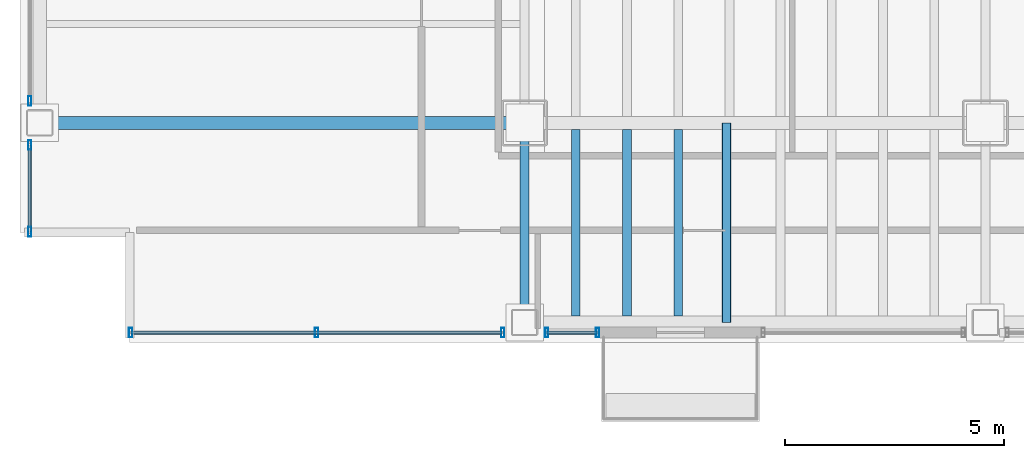
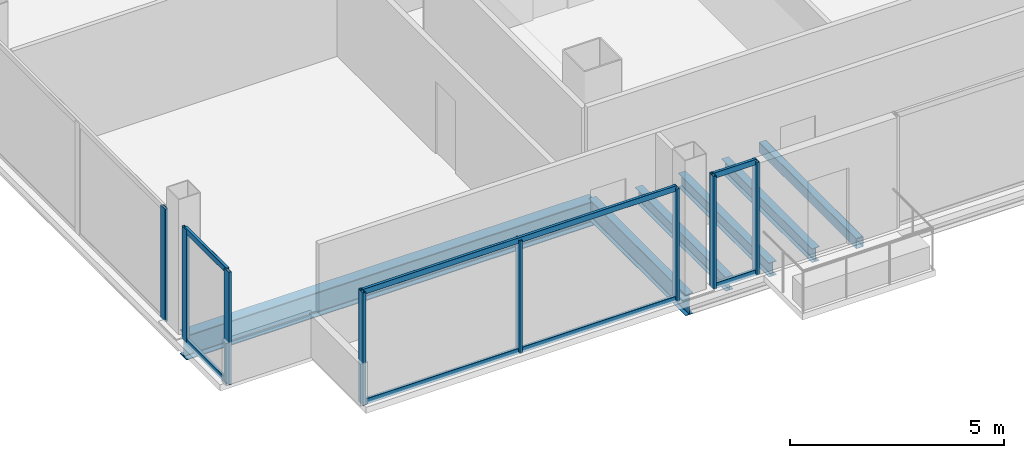
# One storey, part 2 of 21: 14 members, 6 beams, 4 elements without a shape of their own.
"""IFC4 building model written with IfcOpenShell, lengths in metres."""

from ifc_helpers import new_model, si_unit, direction, frame, origin, origin_2d, place, context, subcontext, project, spatial, hollow_rectangle, i_section, extrude, material, material_profile, profile_set, type_object, element, aggregate, save


model = new_model("IFC4")

# Units and contexts
model_context = context("Model", 3, precision=1e-05, world=origin(), true_north=direction((0.0, 1.0)))
body_context = subcontext(model_context, "Body", "Model", "MODEL_VIEW")
ifc_project = project(units=[si_unit("LENGTHUNIT", "METRE"), si_unit("AREAUNIT", "SQUARE_METRE"), si_unit("VOLUMEUNIT", "CUBIC_METRE"), si_unit("PLANEANGLEUNIT", "RADIAN"), si_unit("MASSUNIT", "GRAM", prefix="KILO")], contexts=[model_context])

# Site, building, storey
site_placement = place(None, origin())
site = spatial("IfcSite", under=ifc_project, at=site_placement, CompositionType="ELEMENT")
building_placement = place(site_placement, origin())
building = spatial("IfcBuilding", under=site, at=building_placement, Name="Noeulbin Bourse Tower", CompositionType="ELEMENT")
storey_placement = place(building_placement, frame((0.0, 0.0, 34.300048828125)))
storey = spatial("IfcBuildingStorey", under=building, at=storey_placement, Name="L08", CompositionType="ELEMENT", Elevation=34.300048828125)

# Beams
ifc_material_1 = material(Name="Steel S355", Category="steel")
ifc_material_profile_1 = material_profile(ifc_material_1, hollow_rectangle(XDim=0.199951171875, YDim=0.300048828125, WallThickness=0.011962890625, InnerFilletRadius=0.011962890625, OuterFilletRadius=0.02392578125, at=origin_2d()), Name="RHS-300x200x12", Category="LoadBearing")
ifc_profile_set_1 = profile_set([ifc_material_profile_1], Name="Steel S355")
beam_type_1 = type_object("IfcBeamType", Name="BM-BAL-300", PredefinedType="BEAM", material=ifc_profile_set_1)
beam_1_placement = place(storey_placement, frame((18.10009765625, 15.449951171875, -0.330078125), z_axis=(0.0, 1.0, 0.0), x_axis=(-1.0, 0.0, 0.0)))
element("IfcBeam", 1, at=beam_1_placement, inside=storey, type_object=beam_type_1, Name="Balcony Back-Span Tie Beam L08", PredefinedType="BEAM", context=body_context, shape_type="SweptSolid", body=[
    extrude(hollow_rectangle(XDim=0.199951171875, YDim=0.300048828125, WallThickness=0.011962890625, InnerFilletRadius=0.011962890625, OuterFilletRadius=0.02392578125, at=origin_2d()), origin(), (0.0, 0.0, 1.0), 4.550048828125),
])
ifc_material_profile_2 = material_profile(ifc_material_1, i_section(OverallWidth=0.199951171875, OverallDepth=0.60009765625, WebThickness=0.010986328125, FlangeThickness=0.01708984375, FilletRadius=0.02197265625, at=origin_2d()), Name="H-600x200x11x17", Category="LoadBearing")
ifc_profile_set_2 = profile_set([ifc_material_profile_2], Name="Steel S355")
beam_type_2 = type_object("IfcBeamType", Name="BM-GRD-600", PredefinedType="USERDEFINED", material=ifc_profile_set_2)
beam_2_placement = place(storey_placement, frame((13.5, 15.449951171875, -0.47998046875), z_axis=(0.0, 1.0, 0.0), x_axis=(-1.0, 0.0, 0.0)))
element("IfcBeam", 2, at=beam_2_placement, inside=storey, type_object=beam_type_2, Name="Tower Primary Girder NS L08-1.1", ObjectType="GIRDER", PredefinedType="USERDEFINED", context=body_context, shape_type="SweptSolid", body=[
    extrude(i_section(OverallWidth=0.199951171875, OverallDepth=0.60009765625, WebThickness=0.010986328125, FlangeThickness=0.01708984375, FilletRadius=0.02197265625, at=origin_2d()), origin(), (0.0, 0.0, 1.0), 4.550048828125),
])
ifc_material_profile_3 = material_profile(ifc_material_1, i_section(OverallWidth=0.300048828125, OverallDepth=0.699951171875, WebThickness=0.012939453125, FlangeThickness=0.02392578125, FilletRadius=0.02392578125, at=origin_2d()), Name="H-700x300x13x24", Category="LoadBearing")
ifc_profile_set_3 = profile_set([ifc_material_profile_3], Name="Steel S355")
beam_type_3 = type_object("IfcBeamType", Name="BM-GRD-700", PredefinedType="USERDEFINED", material=ifc_profile_set_3)
beam_3_placement = place(storey_placement, frame((2.449951171875, 20.0, -0.530029296875), z_axis=(1.0, 0.0, 0.0), x_axis=(0.0, 1.0, 0.0)))
element("IfcBeam", 3, at=beam_3_placement, inside=storey, type_object=beam_type_3, Name="Tower Primary Girder EW L08-1.1", ObjectType="GIRDER", PredefinedType="USERDEFINED", context=body_context, shape_type="SweptSolid", body=[
    extrude(i_section(OverallWidth=0.300048828125, OverallDepth=0.699951171875, WebThickness=0.012939453125, FlangeThickness=0.02392578125, FilletRadius=0.02392578125, at=origin_2d()), origin(), (0.0, 0.0, 1.0), 11.050048828125),
])
ifc_material_profile_4 = material_profile(ifc_material_1, i_section(OverallWidth=0.199951171875, OverallDepth=0.39990234375, WebThickness=0.008056640625, FlangeThickness=0.012939453125, FilletRadius=0.01611328125, at=origin_2d()), Name="H-400x200x8x13", Category="LoadBearing")
ifc_profile_set_4 = profile_set([ifc_material_profile_4], Name="Steel S355")
beam_type_4 = type_object("IfcBeamType", Name="BM-SEC-400", PredefinedType="BEAM", material=ifc_profile_set_4)
for number, where, z_axis, x_axis, name in (
    (4, (14.666748046875, 15.60009765625, -0.380126953125), (0.0, 1.0, 0.0), (-1.0, 0.0, 0.0), "Tower Composite Joist L08-01"),
    (5, (15.833251953125, 15.60009765625, -0.380126953125), (0.0, 1.0, 0.0), (-1.0, 0.0, 0.0), "Tower Composite Joist L08-04"),
    (6, (17.0, 15.60009765625, -0.380126953125), (0.0, 1.0, 0.0), (-1.0, 0.0, 0.0), "Tower Composite Joist L08-07"),
):
    element("IfcBeam", number, at=place(storey_placement, frame(where, z_axis=z_axis, x_axis=x_axis)), inside=storey, type_object=beam_type_4, Name=name, PredefinedType="BEAM", context=body_context, shape_type="SweptSolid", body=[
        extrude(i_section(OverallWidth=0.199951171875, OverallDepth=0.39990234375, WebThickness=0.008056640625, FlangeThickness=0.012939453125, FilletRadius=0.01611328125, at=origin_2d()), origin(), (0.0, 0.0, 1.0), 4.25),
    ])

# Curtain wall, members
ifc_material_2 = material(Name="Dark Solar-Control Double Glazing", Category="glass")
curtain_wall_type = type_object("IfcCurtainWallType", Name="CW-SYS-2", PredefinedType="NOTDEFINED", material=ifc_material_2)
curtain_wall_1_placement = place(storey_placement, origin())
curtain_wall_1 = element("IfcCurtainWall", 7, at=curtain_wall_1_placement, inside=storey, type_object=curtain_wall_type, Name="Unitised Curtain Wall CW-L08-S1-S1", PredefinedType="NOTDEFINED")
ifc_material_3 = material(Name="Anodised Aluminium 6063-T6", Category="aluminium")
ifc_material_profile_5 = material_profile(ifc_material_3, hollow_rectangle(XDim=0.074951171875, YDim=0.219970703125, WallThickness=0.0048828125, InnerFilletRadius=0.00244140625, OuterFilletRadius=0.0048828125, at=origin_2d()), Name="ALU-MULL-75x220x5", Category="LoadBearing")
ifc_profile_set_5 = profile_set([ifc_material_profile_5], Name="Anodised Aluminium 6063-T6")
member_type_1 = type_object("IfcMemberType", Name="CW-SYS-2-MUL", PredefinedType="MULLION", material=ifc_profile_set_5)
member_1_placement = place(storey_placement, frame((4.52001953125, 15.219970703125, -0.02001953125), z_axis=(0.0, 0.0, 1.0), x_axis=(1.0, 0.0, 0.0)))
member_1 = element("IfcMember", 8, at=member_1_placement, type_object=member_type_1, Name="Curtain Wall Mullion CW-L08-S1-S1-M00", PredefinedType="MULLION", context=body_context, shape_type="SweptSolid", body=[
    extrude(hollow_rectangle(XDim=0.074951171875, YDim=0.219970703125, WallThickness=0.0048828125, InnerFilletRadius=0.00244140625, OuterFilletRadius=0.0048828125, at=origin_2d()), origin(), (0.0, 0.0, 1.0), 3.219970703125),
])
member_2_placement = place(storey_placement, frame((8.760009765625, 15.219970703125, -0.02001953125), z_axis=(0.0, 0.0, 1.0), x_axis=(1.0, 0.0, 0.0)))
member_2 = element("IfcMember", 9, at=member_2_placement, type_object=member_type_1, Name="Curtain Wall Mullion CW-L08-S1-S1-M01", PredefinedType="MULLION", context=body_context, shape_type="SweptSolid", body=[
    extrude(hollow_rectangle(XDim=0.074951171875, YDim=0.219970703125, WallThickness=0.0048828125, InnerFilletRadius=0.00244140625, OuterFilletRadius=0.0048828125, at=origin_2d()), origin(), (0.0, 0.0, 1.0), 3.219970703125),
])
member_3_placement = place(storey_placement, frame((13.0, 15.219970703125, -0.02001953125), z_axis=(0.0, 0.0, 1.0), x_axis=(1.0, 0.0, 0.0)))
member_3 = element("IfcMember", 10, at=member_3_placement, type_object=member_type_1, Name="Curtain Wall Mullion CW-L08-S1-S1-M02", PredefinedType="MULLION", context=body_context, shape_type="SweptSolid", body=[
    extrude(hollow_rectangle(XDim=0.074951171875, YDim=0.219970703125, WallThickness=0.0048828125, InnerFilletRadius=0.00244140625, OuterFilletRadius=0.0048828125, at=origin_2d()), origin(), (0.0, 0.0, 1.0), 3.219970703125),
])

curtain_wall_2_placement = place(storey_placement, origin())
curtain_wall_2 = element("IfcCurtainWall", 11, at=curtain_wall_2_placement, inside=storey, type_object=curtain_wall_type, Name="Unitised Curtain Wall CW-L08-S1-S2", PredefinedType="NOTDEFINED")
member_4_placement = place(storey_placement, frame((14.0, 15.219970703125, -0.02001953125), z_axis=(0.0, 0.0, 1.0), x_axis=(1.0, 0.0, 0.0)))
member_4 = element("IfcMember", 12, at=member_4_placement, type_object=member_type_1, Name="Curtain Wall Mullion CW-L08-S1-S2-M00", PredefinedType="MULLION", context=body_context, shape_type="SweptSolid", body=[
    extrude(hollow_rectangle(XDim=0.074951171875, YDim=0.219970703125, WallThickness=0.0048828125, InnerFilletRadius=0.00244140625, OuterFilletRadius=0.0048828125, at=origin_2d()), origin(), (0.0, 0.0, 1.0), 3.219970703125),
])
member_5_placement = place(storey_placement, frame((15.159912109375, 15.219970703125, -0.02001953125), z_axis=(0.0, 0.0, 1.0), x_axis=(1.0, 0.0, 0.0)))
member_5 = element("IfcMember", 13, at=member_5_placement, type_object=member_type_1, Name="Curtain Wall Mullion CW-L08-S1-S2-M01", PredefinedType="MULLION", context=body_context, shape_type="SweptSolid", body=[
    extrude(hollow_rectangle(XDim=0.074951171875, YDim=0.219970703125, WallThickness=0.0048828125, InnerFilletRadius=0.00244140625, OuterFilletRadius=0.0048828125, at=origin_2d()), origin(), (0.0, 0.0, 1.0), 3.219970703125),
])

curtain_wall_3_placement = place(storey_placement, origin())
curtain_wall_3 = element("IfcCurtainWall", 14, at=curtain_wall_3_placement, inside=storey, type_object=curtain_wall_type, Name="Unitised Curtain Wall CW-L08-W-S1", PredefinedType="NOTDEFINED")
member_6_placement = place(storey_placement, frame((2.219970703125, 17.52001953125, -0.02001953125), z_axis=(0.0, 0.0, 1.0), x_axis=(1.0, 0.0, 0.0)))
member_6 = element("IfcMember", 15, at=member_6_placement, type_object=member_type_1, Name="Curtain Wall Mullion CW-L08-W-S1-M00", PredefinedType="MULLION", context=body_context, shape_type="SweptSolid", body=[
    extrude(hollow_rectangle(XDim=0.074951171875, YDim=0.219970703125, WallThickness=0.0048828125, InnerFilletRadius=0.00244140625, OuterFilletRadius=0.0048828125, at=origin_2d()), origin(), (0.0, 0.0, 1.0), 3.219970703125),
])
member_7_placement = place(storey_placement, frame((2.219970703125, 19.5, -0.02001953125), z_axis=(0.0, 0.0, 1.0), x_axis=(1.0, 0.0, 0.0)))
member_7 = element("IfcMember", 16, at=member_7_placement, type_object=member_type_1, Name="Curtain Wall Mullion CW-L08-W-S1-M01", PredefinedType="MULLION", context=body_context, shape_type="SweptSolid", body=[
    extrude(hollow_rectangle(XDim=0.074951171875, YDim=0.219970703125, WallThickness=0.0048828125, InnerFilletRadius=0.00244140625, OuterFilletRadius=0.0048828125, at=origin_2d()), origin(), (0.0, 0.0, 1.0), 3.219970703125),
])

# Curtain wall, member
curtain_wall_4_placement = place(storey_placement, origin())
curtain_wall_4 = element("IfcCurtainWall", 17, at=curtain_wall_4_placement, inside=storey, type_object=curtain_wall_type, Name="Unitised Curtain Wall CW-L08-W-S2", PredefinedType="NOTDEFINED")
member_8_placement = place(storey_placement, frame((2.219970703125, 20.5, -0.02001953125), z_axis=(0.0, 0.0, 1.0), x_axis=(1.0, 0.0, 0.0)))
member_8 = element("IfcMember", 18, at=member_8_placement, type_object=member_type_1, Name="Curtain Wall Mullion CW-L08-W-S2-M00", PredefinedType="MULLION", context=body_context, shape_type="SweptSolid", body=[
    extrude(hollow_rectangle(XDim=0.074951171875, YDim=0.219970703125, WallThickness=0.0048828125, InnerFilletRadius=0.00244140625, OuterFilletRadius=0.0048828125, at=origin_2d()), origin(), (0.0, 0.0, 1.0), 3.219970703125),
])
aggregate(curtain_wall_4, [member_8])

# Member
ifc_material_profile_6 = material_profile(ifc_material_3, hollow_rectangle(XDim=0.074951171875, YDim=0.159912109375, WallThickness=0.0048828125, InnerFilletRadius=0.00244140625, OuterFilletRadius=0.0048828125, at=origin_2d()), Name="ALU-TRAN-75x160x5", Category="LoadBearing")
ifc_profile_set_6 = profile_set([ifc_material_profile_6], Name="Anodised Aluminium 6063-T6")
member_type_2 = type_object("IfcMemberType", Name="CW-SYS-2-TRN", PredefinedType="USERDEFINED", material=ifc_profile_set_6)
member_9_placement = place(storey_placement, frame((4.530029296875, 15.219970703125, 0.010009765625), z_axis=(1.0, 0.0, 0.0), x_axis=(0.0, 1.0, 0.0)))
member_9 = element("IfcMember", 19, at=member_9_placement, type_object=member_type_2, Name="Curtain Wall Transom CW-L08-S1-S1-T00", ObjectType="TRANSOM", PredefinedType="USERDEFINED", context=body_context, shape_type="SweptSolid", body=[
    extrude(hollow_rectangle(XDim=0.074951171875, YDim=0.159912109375, WallThickness=0.0048828125, InnerFilletRadius=0.00244140625, OuterFilletRadius=0.0048828125, at=origin_2d()), origin(), (0.0, 0.0, 1.0), 8.4599609375),
])

member_10_placement = place(storey_placement, frame((4.530029296875, 15.219970703125, 3.169921875), z_axis=(1.0, 0.0, 0.0), x_axis=(0.0, 1.0, 0.0)))
member_10 = element("IfcMember", 20, at=member_10_placement, type_object=member_type_2, Name="Curtain Wall Transom CW-L08-S1-S1-T01", ObjectType="TRANSOM", PredefinedType="USERDEFINED", context=body_context, shape_type="SweptSolid", body=[
    extrude(hollow_rectangle(XDim=0.074951171875, YDim=0.159912109375, WallThickness=0.0048828125, InnerFilletRadius=0.00244140625, OuterFilletRadius=0.0048828125, at=origin_2d()), origin(), (0.0, 0.0, 1.0), 8.4599609375),
])

aggregate(curtain_wall_1, [member_1, member_2, member_3, member_9, member_10])

member_11_placement = place(storey_placement, frame((14.010009765625, 15.219970703125, 0.010009765625), z_axis=(1.0, 0.0, 0.0), x_axis=(0.0, 1.0, 0.0)))
member_11 = element("IfcMember", 21, at=member_11_placement, type_object=member_type_2, Name="Curtain Wall Transom CW-L08-S1-S2-T00", ObjectType="TRANSOM", PredefinedType="USERDEFINED", context=body_context, shape_type="SweptSolid", body=[
    extrude(hollow_rectangle(XDim=0.074951171875, YDim=0.159912109375, WallThickness=0.0048828125, InnerFilletRadius=0.00244140625, OuterFilletRadius=0.0048828125, at=origin_2d()), origin(), (0.0, 0.0, 1.0), 1.139892578125),
])

member_12_placement = place(storey_placement, frame((14.010009765625, 15.219970703125, 3.169921875), z_axis=(1.0, 0.0, 0.0), x_axis=(0.0, 1.0, 0.0)))
member_12 = element("IfcMember", 22, at=member_12_placement, type_object=member_type_2, Name="Curtain Wall Transom CW-L08-S1-S2-T01", ObjectType="TRANSOM", PredefinedType="USERDEFINED", context=body_context, shape_type="SweptSolid", body=[
    extrude(hollow_rectangle(XDim=0.074951171875, YDim=0.159912109375, WallThickness=0.0048828125, InnerFilletRadius=0.00244140625, OuterFilletRadius=0.0048828125, at=origin_2d()), origin(), (0.0, 0.0, 1.0), 1.139892578125),
])

aggregate(curtain_wall_2, [member_4, member_5, member_11, member_12])

member_13_placement = place(storey_placement, frame((2.219970703125, 17.530029296875, 0.010009765625), z_axis=(0.0, 1.0, 0.0), x_axis=(-1.0, 0.0, 0.0)))
member_13 = element("IfcMember", 23, at=member_13_placement, type_object=member_type_2, Name="Curtain Wall Transom CW-L08-W-S1-T00", ObjectType="TRANSOM", PredefinedType="USERDEFINED", context=body_context, shape_type="SweptSolid", body=[
    extrude(hollow_rectangle(XDim=0.074951171875, YDim=0.159912109375, WallThickness=0.0048828125, InnerFilletRadius=0.00244140625, OuterFilletRadius=0.0048828125, at=origin_2d()), origin(), (0.0, 0.0, 1.0), 1.9599609375),
])

member_14_placement = place(storey_placement, frame((2.219970703125, 17.530029296875, 3.169921875), z_axis=(0.0, 1.0, 0.0), x_axis=(-1.0, 0.0, 0.0)))
member_14 = element("IfcMember", 24, at=member_14_placement, type_object=member_type_2, Name="Curtain Wall Transom CW-L08-W-S1-T01", ObjectType="TRANSOM", PredefinedType="USERDEFINED", context=body_context, shape_type="SweptSolid", body=[
    extrude(hollow_rectangle(XDim=0.074951171875, YDim=0.159912109375, WallThickness=0.0048828125, InnerFilletRadius=0.00244140625, OuterFilletRadius=0.0048828125, at=origin_2d()), origin(), (0.0, 0.0, 1.0), 1.9599609375),
])

aggregate(curtain_wall_3, [member_6, member_7, member_13, member_14])

save(model, "model.ifc")
